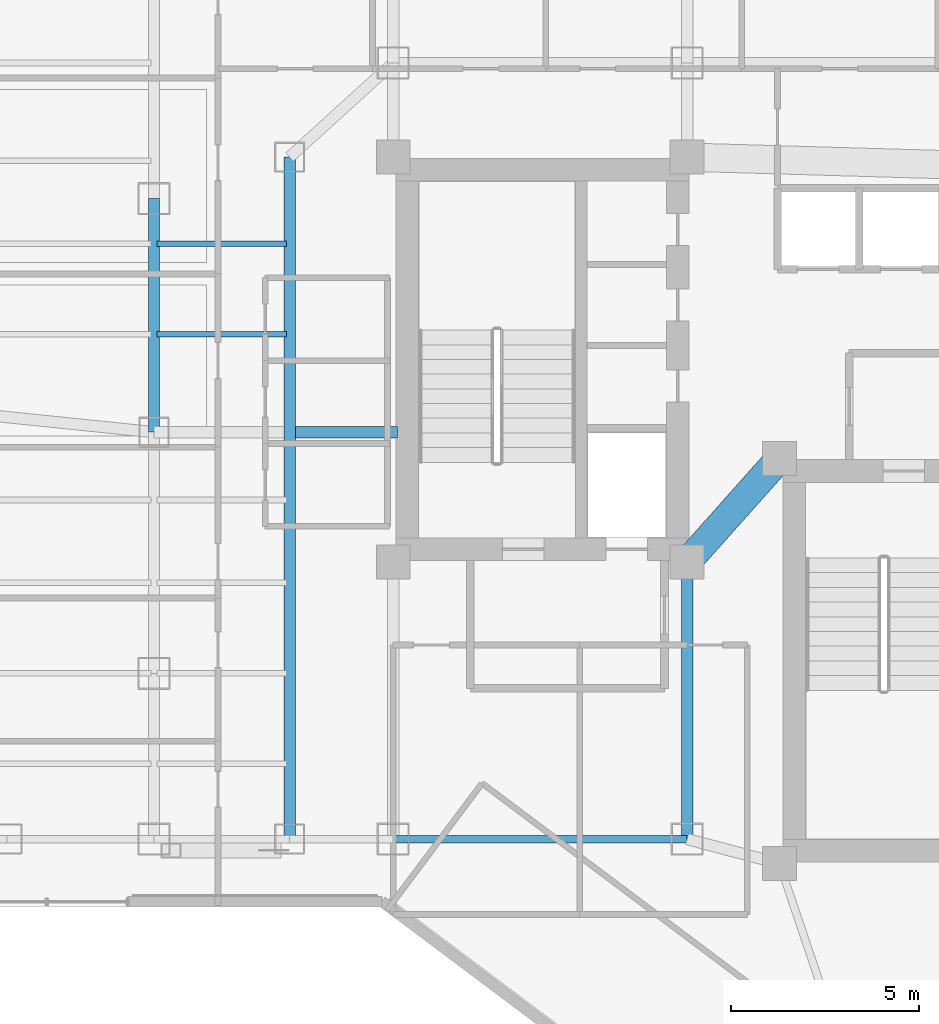
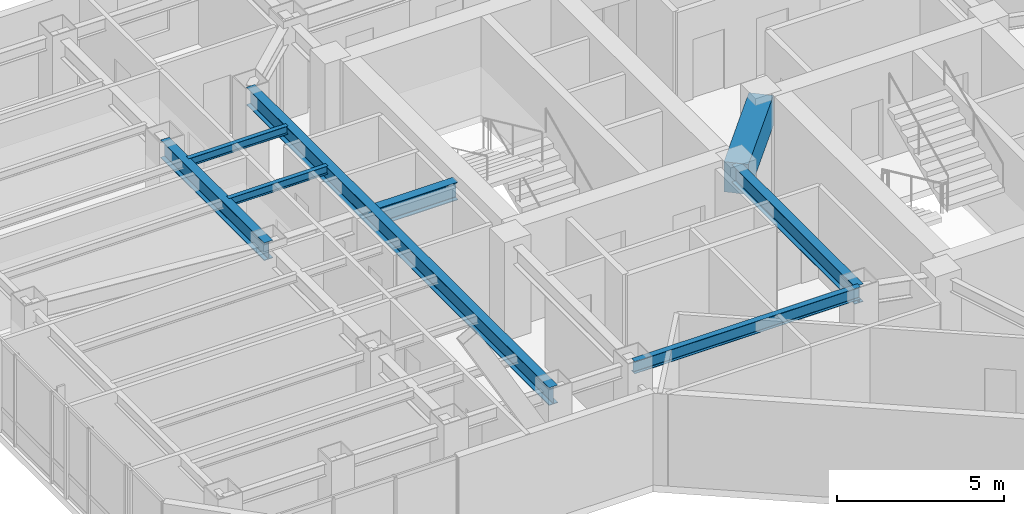
# One storey, part 9 of 29: 8 beams.
"""IFC4 building model written with IfcOpenShell, lengths in metres."""

from ifc_helpers import new_model, si_unit, direction, frame, origin, origin_2d, place, context, subcontext, project, spatial, rectangle, i_section, extrude, material, material_profile, profile_set, type_object, element, save


model = new_model("IFC4")

# Units and contexts
model_context = context("Model", 3, precision=1e-05, world=origin(), true_north=direction((0.0, 1.0)))
body_context = subcontext(model_context, "Body", "Model", "MODEL_VIEW")
ifc_project = project(units=[si_unit("LENGTHUNIT", "METRE"), si_unit("AREAUNIT", "SQUARE_METRE"), si_unit("VOLUMEUNIT", "CUBIC_METRE"), si_unit("PLANEANGLEUNIT", "RADIAN"), si_unit("MASSUNIT", "GRAM", prefix="KILO")], contexts=[model_context])

# Site, building, storey
site_placement = place(None, origin())
site = spatial("IfcSite", under=ifc_project, at=site_placement, CompositionType="ELEMENT")
building_placement = place(site_placement, origin())
building = spatial("IfcBuilding", under=site, at=building_placement, Name="Hatsunagi Terrace Concourse", CompositionType="ELEMENT")
storey_placement = place(building_placement, frame((0.0, 0.0, 149.25)))
storey = spatial("IfcBuildingStorey", under=building, at=storey_placement, Name="L39", CompositionType="ELEMENT", Elevation=149.25)

# Beams
ifc_material_1 = material(Name="Concrete Fc48", Category="concrete")
ifc_material_profile_1 = material_profile(ifc_material_1, rectangle(XDim=0.75, YDim=1.10009765625, at=origin_2d()), Name="RC-750x1100")
ifc_profile_set_1 = profile_set([ifc_material_profile_1], Name="Concrete Fc48")
beam_type_1 = type_object("IfcBeamType", Name="CoreCouplingBeam_RC_750x1100", PredefinedType="BEAM", material=ifc_profile_set_1)
beam_1_placement = place(storey_placement, frame((33.35009765625, 32.550048828125, 2.800048828125), z_axis=(0.665198651008, 0.746666427997, 0.0), x_axis=(-0.746666427997, 0.665198651008, 0.0)))
element("IfcBeam", 1, at=beam_1_placement, inside=storey, type_object=beam_type_1, Name="Beam CB-02 CB-L39-1", PredefinedType="BEAM", context=body_context, shape_type="SweptSolid", body=[
    extrude(rectangle(XDim=0.75, YDim=1.10009765625, at=origin_2d()), origin(), (0.0, 0.0, 1.0), 3.68310546875),
])
ifc_material_2 = material(Name="Steel SN490B", Category="steel")
ifc_material_profile_2 = material_profile(ifc_material_2, i_section(OverallWidth=0.14990234375, OverallDepth=0.300048828125, WebThickness=0.006591796875, FlangeThickness=0.009033203125, FilletRadius=0.010986328125, at=origin_2d()), Name="H-300x150x6.5x9")
ifc_profile_set_2 = profile_set([ifc_material_profile_2], Name="Steel SN490B")
beam_type_2 = type_object("IfcBeamType", Name="OfficeJoist_H_300x150", PredefinedType="JOIST", material=ifc_profile_set_2)
for number, where, z_axis, x_axis, name in (
    (2, (19.284912109375, 38.60009765625, 3.199951171875), (1.0, 0.0, 0.0), (0.0, 1.0, 0.0), "Beam J-03 J-L39-W-19-386"),
    (3, (19.284912109375, 41.0, 3.199951171875), (1.0, 0.0, 0.0), (0.0, 1.0, 0.0), "Beam J-03 J-L39-W-19-410"),
):
    element("IfcBeam", number, at=place(storey_placement, frame(where, z_axis=z_axis, x_axis=x_axis)), inside=storey, type_object=beam_type_2, Name=name, PredefinedType="JOIST", context=body_context, shape_type="SweptSolid", body=[
        extrude(i_section(OverallWidth=0.14990234375, OverallDepth=0.300048828125, WebThickness=0.006591796875, FlangeThickness=0.009033203125, FilletRadius=0.010986328125, at=origin_2d()), origin(), (0.0, 0.0, 1.0), 3.43017578125),
    ])
ifc_material_3 = material(Name="Steel SN490B", Category="steel")
ifc_material_profile_3 = material_profile(ifc_material_3, i_section(OverallWidth=0.300048828125, OverallDepth=0.64990234375, WebThickness=0.012939453125, FlangeThickness=0.02197265625, FilletRadius=0.01806640625, at=origin_2d()), Name="H-650x300x13x22")
ifc_profile_set_3 = profile_set([ifc_material_profile_3], Name="Steel SN490B")
beam_type_3 = type_object("IfcBeamType", Name="OfficeLowGirder_H_650x300", PredefinedType="BEAM", material=ifc_profile_set_3)
beam_2_placement = place(storey_placement, frame((33.35009765625, 25.199951171875, 3.02490234375), z_axis=(0.0, 1.0, 0.0), x_axis=(-1.0, 0.0, 0.0)))
element("IfcBeam", 4, at=beam_2_placement, inside=storey, type_object=beam_type_3, Name="Beam G-05 BM-L39-K2CA", PredefinedType="BEAM", context=body_context, shape_type="SweptSolid", body=[
    extrude(i_section(OverallWidth=0.300048828125, OverallDepth=0.64990234375, WebThickness=0.012939453125, FlangeThickness=0.02197265625, FilletRadius=0.01806640625, at=origin_2d()), origin(), (0.0, 0.0, 1.0), 7.35009765625),
])
beam_3_placement = place(storey_placement, frame((22.800048828125, 25.199951171875, 3.02490234375), z_axis=(0.0, 1.0, 0.0), x_axis=(-1.0, 0.0, 0.0)))
element("IfcBeam", 5, at=beam_3_placement, inside=storey, type_object=beam_type_3, Name="Beam G-05 BM-L39-CWNS", PredefinedType="BEAM", context=body_context, shape_type="SweptSolid", body=[
    extrude(i_section(OverallWidth=0.300048828125, OverallDepth=0.64990234375, WebThickness=0.012939453125, FlangeThickness=0.02197265625, FilletRadius=0.01806640625, at=origin_2d()), origin(), (0.0, 0.0, 1.0), 18.10009765625),
])
beam_4_placement = place(storey_placement, frame((19.199951171875, 36.0, 3.02490234375), z_axis=(0.0, 1.0, 0.0), x_axis=(-1.0, 0.0, 0.0)))
element("IfcBeam", 6, at=beam_4_placement, inside=storey, type_object=beam_type_3, Name="Beam G-05 BM-L39-NS-19-36", PredefinedType="BEAM", context=body_context, shape_type="SweptSolid", body=[
    extrude(i_section(OverallWidth=0.300048828125, OverallDepth=0.64990234375, WebThickness=0.012939453125, FlangeThickness=0.02197265625, FilletRadius=0.01806640625, at=origin_2d()), origin(), (0.0, 0.0, 1.0), 6.199951171875),
])
beam_5_placement = place(storey_placement, frame((22.949951171875, 36.0, 3.02490234375), z_axis=(1.0, 0.0, 0.0), x_axis=(0.0, 1.0, 0.0)))
element("IfcBeam", 7, at=beam_5_placement, inside=storey, type_object=beam_type_3, Name="Beam G-05 BM-L39-EW-4", PredefinedType="BEAM", context=body_context, shape_type="SweptSolid", body=[
    extrude(i_section(OverallWidth=0.300048828125, OverallDepth=0.64990234375, WebThickness=0.012939453125, FlangeThickness=0.02197265625, FilletRadius=0.01806640625, at=origin_2d()), origin(), (0.0, 0.0, 1.0), 2.7099609375),
])
ifc_material_4 = material(Name="Steel SN490B", Category="steel")
ifc_material_profile_4 = material_profile(ifc_material_4, i_section(OverallWidth=0.199951171875, OverallDepth=0.449951171875, WebThickness=0.009033203125, FlangeThickness=0.013916015625, FilletRadius=0.01611328125, at=origin_2d()), Name="H-450x200x9x14")
ifc_profile_set_4 = profile_set([ifc_material_profile_4], Name="Steel SN490B")
beam_type_4 = type_object("IfcBeamType", Name="PerimeterSpandrel_H_450x200", PredefinedType="SPANDREL", material=ifc_profile_set_4)
beam_6_placement = place(storey_placement, frame((25.550048828125, 25.199951171875, 3.125), z_axis=(1.0, 0.0, 0.0), x_axis=(0.0, 1.0, 0.0)))
element("IfcBeam", 8, at=beam_6_placement, inside=storey, type_object=beam_type_4, Name="Beam SP-02 BM-L39-WS-25", PredefinedType="SPANDREL", context=body_context, shape_type="SweptSolid", body=[
    extrude(i_section(OverallWidth=0.199951171875, OverallDepth=0.449951171875, WebThickness=0.009033203125, FlangeThickness=0.013916015625, FilletRadius=0.01611328125, at=origin_2d()), origin(), (0.0, 0.0, 1.0), 7.800048828125),
])

save(model, "model.ifc")
